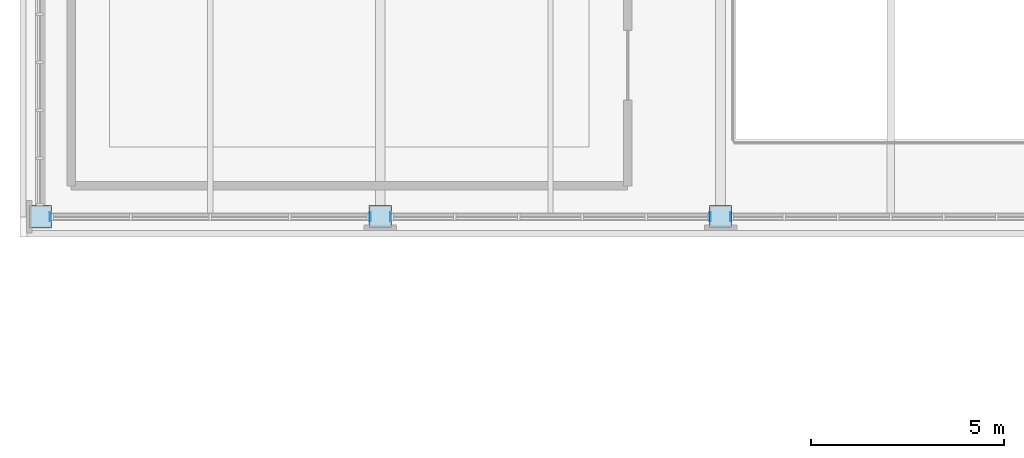
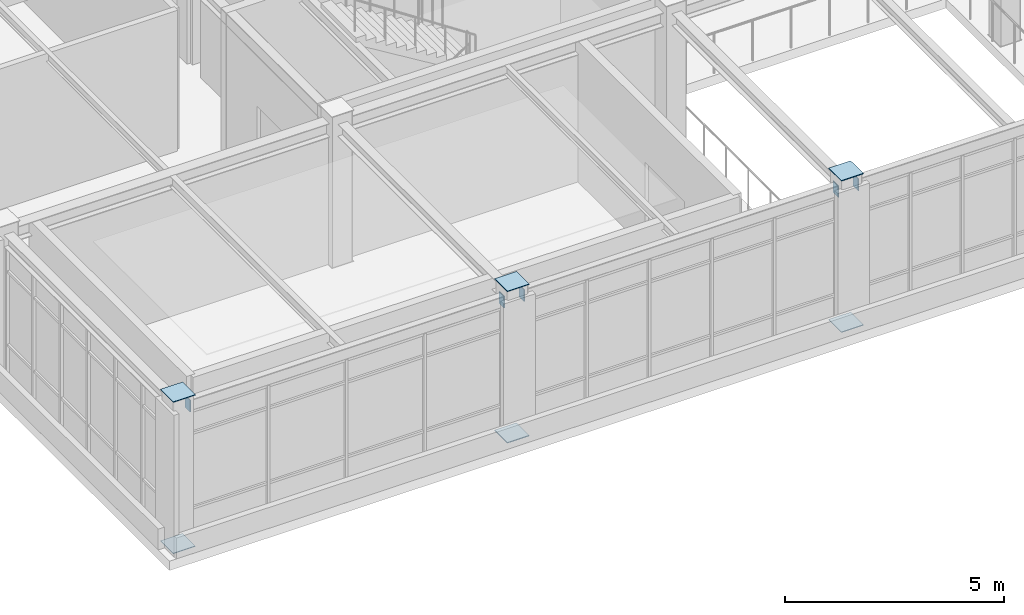
# One storey, part 47 of 88: 11 plates.
"""IFC4 building model written with IfcOpenShell, lengths in metres."""

from ifc_helpers import new_model, si_unit, direction, frame, origin, origin_2d, place, context, subcontext, project, spatial, rectangle, extrude, material, layer, layer_set, type_object, element, save


model = new_model("IFC4")

# Units and contexts
model_context = context("Model", 3, precision=1e-05, world=origin(), true_north=direction((0.0, 1.0)))
body_context = subcontext(model_context, "Body", "Model", "MODEL_VIEW")
ifc_project = project(units=[si_unit("LENGTHUNIT", "METRE"), si_unit("AREAUNIT", "SQUARE_METRE"), si_unit("VOLUMEUNIT", "CUBIC_METRE"), si_unit("PLANEANGLEUNIT", "RADIAN"), si_unit("MASSUNIT", "GRAM", prefix="KILO")], contexts=[model_context])

# Site, building, storey
site_placement = place(None, origin())
site = spatial("IfcSite", under=ifc_project, at=site_placement, CompositionType="ELEMENT")
building_placement = place(site_placement, origin())
building = spatial("IfcBuilding", under=site, at=building_placement, Name="Zhaolan Boulevard Law Courts", CompositionType="ELEMENT")
storey_placement = place(building_placement, frame((0.0, 0.0, 16.199951171875)))
storey = spatial("IfcBuildingStorey", under=building, at=storey_placement, Name="L03", CompositionType="ELEMENT", Elevation=16.199951171875)

# Plates
ifc_material = material(Name="Structural steel Q355B", Category="steel")
ifc_layer = layer(ifc_material, 0.02001953125)
ifc_layer_set = layer_set([ifc_layer])
plate_type = type_object("IfcPlateType", Name="END CAP PLATE 20", PredefinedType="SHEET", material=ifc_layer_set)
for number, where, z_axis, x_axis, name in (
    (1, (0.0, 30.0, -0.01806640625), (0.0, 0.0, 1.0), (1.0, 0.0, 0.0), "Hollow Section End-Cap Plate ECP-0009"),
    (2, (0.0, 30.0, 4.197998046875), (0.0, 0.0, 1.0), (1.0, 0.0, 0.0), "Hollow Section End-Cap Plate ECP-0010"),
    (3, (8.800048828125, 30.0, -0.01806640625), (0.0, 0.0, 1.0), (1.0, 0.0, 0.0), "Hollow Section End-Cap Plate ECP-0143"),
    (4, (8.800048828125, 30.0, 4.197998046875), (0.0, 0.0, 1.0), (1.0, 0.0, 0.0), "Hollow Section End-Cap Plate ECP-0144"),
    (5, (17.60009765625, 30.0, -0.01806640625), (0.0, 0.0, 1.0), (1.0, 0.0, 0.0), "Hollow Section End-Cap Plate ECP-0277"),
    (6, (17.60009765625, 30.0, 4.197998046875), (0.0, 0.0, 1.0), (1.0, 0.0, 0.0), "Hollow Section End-Cap Plate ECP-0278"),
):
    element("IfcPlate", number, at=place(storey_placement, frame(where, z_axis=z_axis, x_axis=x_axis)), inside=storey, type_object=plate_type, Name=name, PredefinedType="SHEET", context=body_context, shape_type="SweptSolid", body=[
        extrude(rectangle(XDim=0.580078125, YDim=0.580078125, at=origin_2d()), origin(), (0.0, 0.0, 1.0), 0.02001953125),
    ])
for number, where, z_axis, x_axis, name in (
    (7, (0.262939453125, 30.0, 3.633056640625), (0.0, 0.0, 1.0), (1.0, 0.0, 0.0), "Hollow Section End-Cap Plate ECP-0877"),
    (8, (8.537109375, 30.0, 3.633056640625), (0.0, 0.0, 1.0), (1.0, 0.0, 0.0), "Hollow Section End-Cap Plate ECP-0878"),
    (9, (9.06298828125, 30.0, 3.633056640625), (0.0, 0.0, 1.0), (1.0, 0.0, 0.0), "Hollow Section End-Cap Plate ECP-0879"),
    (10, (17.3369140625, 30.0, 3.633056640625), (0.0, 0.0, 1.0), (1.0, 0.0, 0.0), "Hollow Section End-Cap Plate ECP-0880"),
    (11, (17.863037109375, 30.0, 3.633056640625), (0.0, 0.0, 1.0), (1.0, 0.0, 0.0), "Hollow Section End-Cap Plate ECP-0881"),
):
    element("IfcPlate", number, at=place(storey_placement, frame(where, z_axis=z_axis, x_axis=x_axis)), inside=storey, type_object=plate_type, Name=name, PredefinedType="SHEET", context=body_context, shape_type="SweptSolid", body=[
        extrude(rectangle(XDim=0.02001953125, YDim=0.22998046875, at=origin_2d()), origin(), (0.0, 0.0, 1.0), 0.330078125),
    ])

save(model, "model.ifc")
